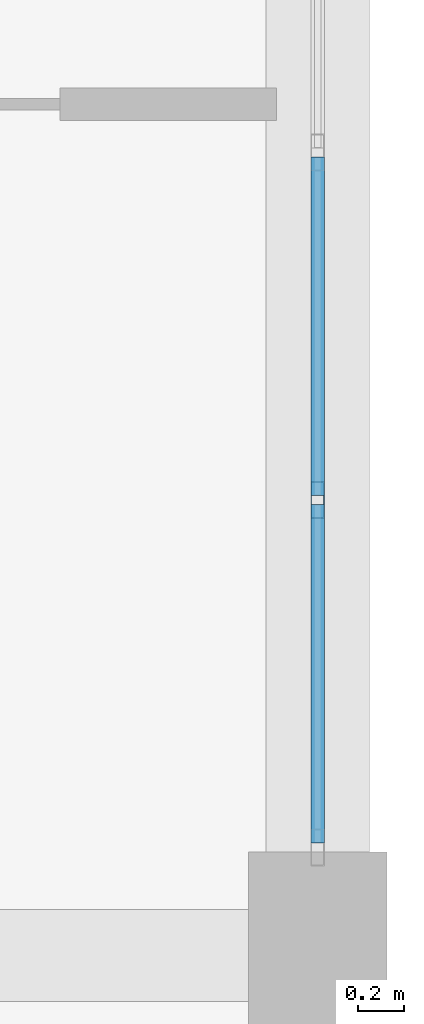
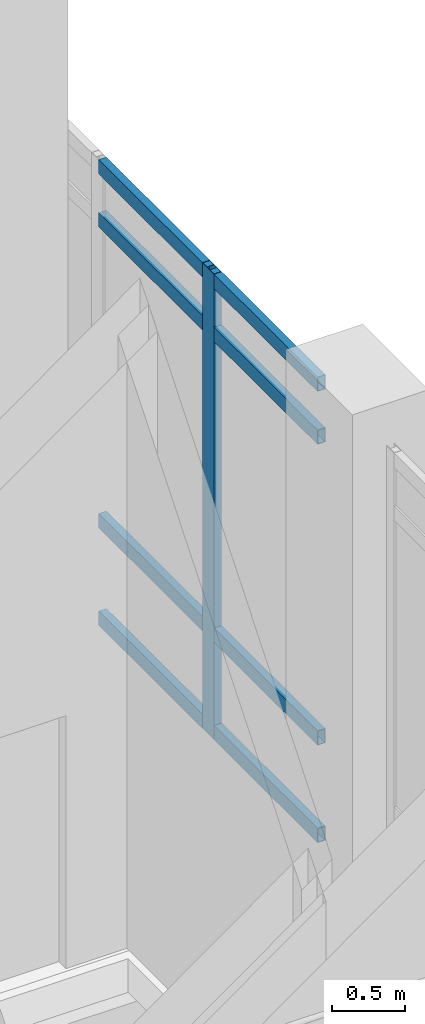
# One storey, part 110 of 161: 9 members, 1 element without a shape of its own.
"""IFC4 building model written with IfcOpenShell, lengths in metres."""

from ifc_helpers import new_model, si_unit, direction, frame, origin, origin_2d, place, context, subcontext, project, spatial, hollow_rectangle, extrude, material, layer, layer_set, material_profile, profile_set, type_object, element, aggregate, save


model = new_model("IFC4")

# Units and contexts
model_context = context("Model", 3, precision=1e-05, world=origin(), true_north=direction((0.0, 1.0)))
body_context = subcontext(model_context, "Body", "Model", "MODEL_VIEW")
ifc_project = project(units=[si_unit("LENGTHUNIT", "METRE"), si_unit("AREAUNIT", "SQUARE_METRE"), si_unit("VOLUMEUNIT", "CUBIC_METRE"), si_unit("PLANEANGLEUNIT", "RADIAN"), si_unit("MASSUNIT", "GRAM", prefix="KILO")], contexts=[model_context])

# Site, building, storey
site_placement = place(None, origin())
site = spatial("IfcSite", under=ifc_project, at=site_placement, CompositionType="ELEMENT")
building_placement = place(site_placement, origin())
building = spatial("IfcBuilding", under=site, at=building_placement, Name="Mersad Railyard Sports Hall", CompositionType="ELEMENT")
storey_placement = place(building_placement, frame((0.0, 0.0, 4.800048828125)))
storey = spatial("IfcBuildingStorey", under=building, at=storey_placement, Name="L01", CompositionType="ELEMENT", Elevation=4.800048828125)

# Curtain wall, members
ifc_material = material(Name="Aluminium 6063-T6", Category="aluminium")
ifc_layer = layer(ifc_material, 0.159912109375)
ifc_layer_set = layer_set([ifc_layer], Name="Aluminium 6063-T6")
curtain_wall_type = type_object("IfcCurtainWallType", Name="ARC-CW-CW14", PredefinedType="USERDEFINED", material=ifc_layer_set)
curtain_wall_placement = place(storey_placement, origin())
curtain_wall = element("IfcCurtainWall", 1, at=curtain_wall_placement, inside=storey, type_object=curtain_wall_type, Name="Curtain wall CW14-0056", ObjectType="CURTAIN WALL", PredefinedType="USERDEFINED")
ifc_material_profile_1 = material_profile(ifc_material, hollow_rectangle(XDim=0.06005859375, YDim=0.159912109375, WallThickness=0.00390625, at=origin_2d()), Name="AL MULLION 60x160x4")
ifc_profile_set_1 = profile_set([ifc_material_profile_1], Name="Aluminium 6063-T6")
member_type_1 = type_object("IfcMemberType", Name="ARC-CW-MUL01", PredefinedType="MULLION", material=ifc_profile_set_1)
member_1_placement = place(storey_placement, frame((179.0, 65.47998046875, -0.02001953125), z_axis=(0.0, 0.0, 1.0), x_axis=(1.0, 0.0, 0.0)))
member_1 = element("IfcMember", 2, at=member_1_placement, type_object=member_type_1, Name="CW14 Mullion 6", PredefinedType="MULLION", context=body_context, shape_type="SweptSolid", body=[
    extrude(hollow_rectangle(XDim=0.06005859375, YDim=0.159912109375, WallThickness=0.00390625, at=origin_2d()), origin(), (0.0, 0.0, 1.0), 3.869873046875),
])
ifc_material_profile_2 = material_profile(ifc_material, hollow_rectangle(XDim=0.06005859375, YDim=0.1201171875, WallThickness=0.00390625, at=origin_2d()), Name="AL TRANSOM 60x120x4")
ifc_profile_set_2 = profile_set([ifc_material_profile_2], Name="Aluminium 6063-T6")
member_type_2 = type_object("IfcMemberType", Name="ARC-CW-TRN01", PredefinedType="USERDEFINED", material=ifc_profile_set_2)
member_2_placement = place(storey_placement, frame((179.0, 66.969970703125, 0.0400390625), z_axis=(0.0, -1.0, 0.0), x_axis=(1.0, 0.0, 0.0)))
member_2 = element("IfcMember", 3, at=member_2_placement, type_object=member_type_2, Name="CW14 Transom 1-5", ObjectType="TRANSOM", PredefinedType="USERDEFINED", context=body_context, shape_type="SweptSolid", body=[
    extrude(hollow_rectangle(XDim=0.06005859375, YDim=0.1201171875, WallThickness=0.00390625, at=origin_2d()), origin(), (0.0, 0.0, 1.0), 1.469970703125),
])
member_3_placement = place(storey_placement, frame((179.0, 65.4599609375, 0.0400390625), z_axis=(0.0, -1.0, 0.0), x_axis=(1.0, 0.0, 0.0)))
member_3 = element("IfcMember", 4, at=member_3_placement, type_object=member_type_2, Name="CW14 Transom 1-6", ObjectType="TRANSOM", PredefinedType="USERDEFINED", context=body_context, shape_type="SweptSolid", body=[
    extrude(hollow_rectangle(XDim=0.06005859375, YDim=0.1201171875, WallThickness=0.00390625, at=origin_2d()), origin(), (0.0, 0.0, 1.0), 1.469970703125),
])
member_4_placement = place(storey_placement, frame((179.0, 66.969970703125, 0.849853515625), z_axis=(0.0, -1.0, 0.0), x_axis=(1.0, 0.0, 0.0)))
member_4 = element("IfcMember", 5, at=member_4_placement, type_object=member_type_2, Name="CW14 Transom 2-5", ObjectType="TRANSOM", PredefinedType="USERDEFINED", context=body_context, shape_type="SweptSolid", body=[
    extrude(hollow_rectangle(XDim=0.06005859375, YDim=0.1201171875, WallThickness=0.00390625, at=origin_2d()), origin(), (0.0, 0.0, 1.0), 1.469970703125),
])
member_5_placement = place(storey_placement, frame((179.0, 65.4599609375, 0.849853515625), z_axis=(0.0, -1.0, 0.0), x_axis=(1.0, 0.0, 0.0)))
member_5 = element("IfcMember", 6, at=member_5_placement, type_object=member_type_2, Name="CW14 Transom 2-6", ObjectType="TRANSOM", PredefinedType="USERDEFINED", context=body_context, shape_type="SweptSolid", body=[
    extrude(hollow_rectangle(XDim=0.06005859375, YDim=0.1201171875, WallThickness=0.00390625, at=origin_2d()), origin(), (0.0, 0.0, 1.0), 1.469970703125),
])
member_6_placement = place(storey_placement, frame((179.0, 66.969970703125, 3.349853515625), z_axis=(0.0, -1.0, 0.0), x_axis=(1.0, 0.0, 0.0)))
member_6 = element("IfcMember", 7, at=member_6_placement, type_object=member_type_2, Name="CW14 Transom 3-5", ObjectType="TRANSOM", PredefinedType="USERDEFINED", context=body_context, shape_type="SweptSolid", body=[
    extrude(hollow_rectangle(XDim=0.06005859375, YDim=0.1201171875, WallThickness=0.00390625, at=origin_2d()), origin(), (0.0, 0.0, 1.0), 1.469970703125),
])
member_7_placement = place(storey_placement, frame((179.0, 65.4599609375, 3.349853515625), z_axis=(0.0, -1.0, 0.0), x_axis=(1.0, 0.0, 0.0)))
member_7 = element("IfcMember", 8, at=member_7_placement, type_object=member_type_2, Name="CW14 Transom 3-6", ObjectType="TRANSOM", PredefinedType="USERDEFINED", context=body_context, shape_type="SweptSolid", body=[
    extrude(hollow_rectangle(XDim=0.06005859375, YDim=0.1201171875, WallThickness=0.00390625, at=origin_2d()), origin(), (0.0, 0.0, 1.0), 1.469970703125),
])
member_8_placement = place(storey_placement, frame((179.0, 66.969970703125, 3.7900390625), z_axis=(0.0, -1.0, 0.0), x_axis=(1.0, 0.0, 0.0)))
member_8 = element("IfcMember", 9, at=member_8_placement, type_object=member_type_2, Name="CW14 Transom 4-5", ObjectType="TRANSOM", PredefinedType="USERDEFINED", context=body_context, shape_type="SweptSolid", body=[
    extrude(hollow_rectangle(XDim=0.06005859375, YDim=0.1201171875, WallThickness=0.00390625, at=origin_2d()), origin(), (0.0, 0.0, 1.0), 1.469970703125),
])
member_9_placement = place(storey_placement, frame((179.0, 65.4599609375, 3.7900390625), z_axis=(0.0, -1.0, 0.0), x_axis=(1.0, 0.0, 0.0)))
member_9 = element("IfcMember", 10, at=member_9_placement, type_object=member_type_2, Name="CW14 Transom 4-6", ObjectType="TRANSOM", PredefinedType="USERDEFINED", context=body_context, shape_type="SweptSolid", body=[
    extrude(hollow_rectangle(XDim=0.06005859375, YDim=0.1201171875, WallThickness=0.00390625, at=origin_2d()), origin(), (0.0, 0.0, 1.0), 1.469970703125),
])
aggregate(curtain_wall, [member_1, member_2, member_3, member_4, member_5, member_6, member_7, member_8, member_9])

save(model, "model.ifc")
